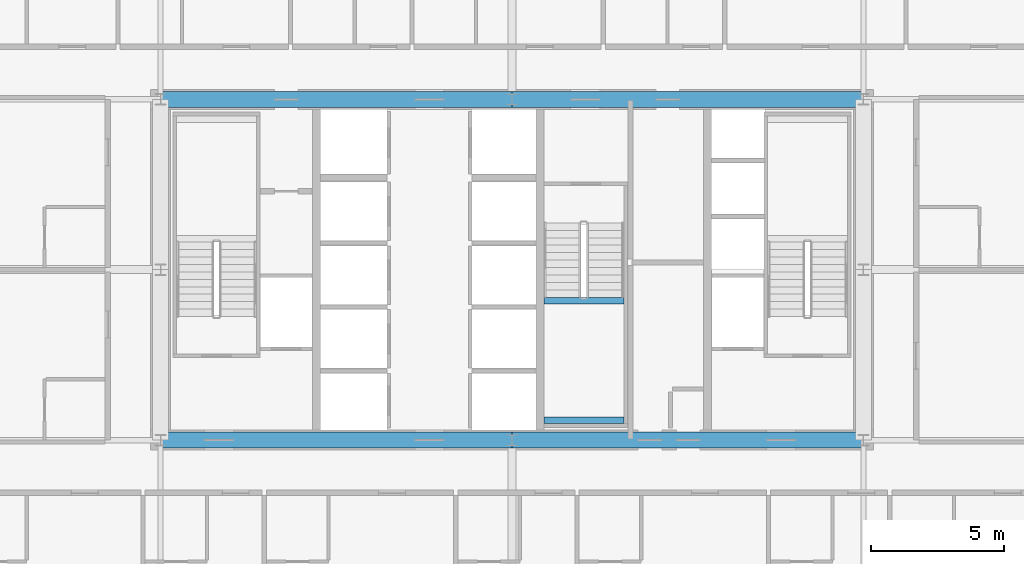
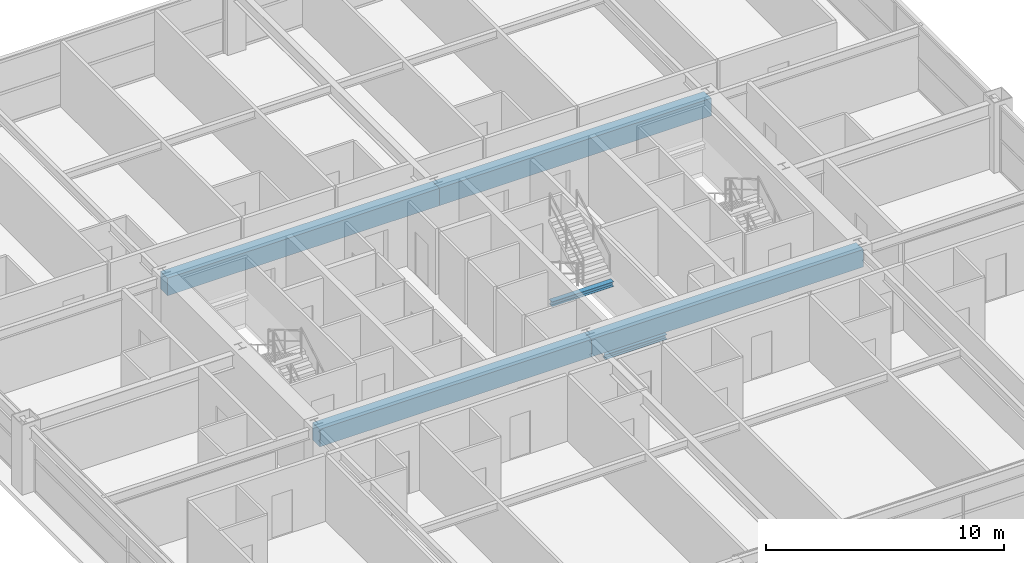
# One storey, part 13 of 43: 6 beams.
"""IFC4 building model written with IfcOpenShell, lengths in metres."""

from ifc_helpers import new_model, si_unit, direction, frame, origin, origin_2d, place, context, subcontext, project, spatial, rectangle, i_section, extrude, source, transform, mapped, material, material_profile, profile_set, type_object, element, save


model = new_model("IFC4")

# Units and contexts
model_context = context("Model", 3, precision=1e-05, world=origin(), true_north=direction((0.0, 1.0)))
body_context = subcontext(model_context, "Body", "Model", "MODEL_VIEW")
ifc_project = project(units=[si_unit("LENGTHUNIT", "METRE"), si_unit("AREAUNIT", "SQUARE_METRE"), si_unit("VOLUMEUNIT", "CUBIC_METRE"), si_unit("PLANEANGLEUNIT", "RADIAN"), si_unit("MASSUNIT", "GRAM", prefix="KILO"), si_unit("THERMODYNAMICTEMPERATUREUNIT", "KELVIN"), si_unit("POWERUNIT", "WATT")], contexts=[model_context])

# Site, building, storey
site_placement = place(None, origin())
site = spatial("IfcSite", under=ifc_project, at=site_placement, CompositionType="ELEMENT")
building_placement = place(site_placement, origin())
building = spatial("IfcBuilding", under=site, at=building_placement, Name="Yuzanri Waterfront Tower", CompositionType="ELEMENT")
storey_placement = place(building_placement, frame((0.0, 0.0, 93.800048828125)))
storey = spatial("IfcBuildingStorey", under=building, at=storey_placement, Name="L24", CompositionType="ELEMENT", Elevation=93.800048828125)

# Beams
ifc_material_1 = material(Name="Concrete C60", Category="concrete")
ifc_material_profile_1 = material_profile(ifc_material_1, rectangle(XDim=0.60009765625, YDim=0.89990234375, at=origin_2d()), Name="RC 600x900")
ifc_profile_set_1 = profile_set([ifc_material_profile_1], Name="Concrete C60")
beam_type_1 = type_object("IfcBeamType", Name="Core Coupling Lintel Concrete C60 600x900", PredefinedType="LINTEL", material=ifc_profile_set_1)
shared_shape_1 = source(origin(), body_context, "Body", "SweptSolid", [
    extrude(rectangle(XDim=0.60009765625, YDim=0.89990234375, at=origin_2d()), origin(), (0.0, 0.0, 1.0), 13.199951171875),
])
for number, where, z_axis, x_axis, name in (
    (1, (23.800048828125, 19.39990234375, 2.929931640625), (1.0, 0.0, 0.0), (0.0, 1.0, 0.0), "L24 Core Tie Beam CS1"),
    (2, (37.0, 19.39990234375, 2.929931640625), (1.0, 0.0, 0.0), (0.0, 1.0, 0.0), "L24 Core Tie Beam CS2"),
    (3, (23.800048828125, 32.199951171875, 2.929931640625), (1.0, 0.0, 0.0), (0.0, 1.0, 0.0), "L24 Core Tie Beam CN1"),
    (4, (37.0, 32.199951171875, 2.929931640625), (1.0, 0.0, 0.0), (0.0, 1.0, 0.0), "L24 Core Tie Beam CN2"),
):
    element("IfcBeam", number, at=place(storey_placement, frame(where, z_axis=z_axis, x_axis=x_axis)), inside=storey, type_object=beam_type_1, Name=name, PredefinedType="LINTEL", context=body_context, shape_type="MappedRepresentation", body=[
        mapped(shared_shape_1, transform((0.0, 0.0, 0.0), scale=1.0)),
    ])
ifc_material_2 = material(Name="Steel Q355B", Category="steel")
ifc_material_profile_2 = material_profile(ifc_material_2, i_section(OverallWidth=0.25, OverallDepth=0.25, WebThickness=0.009033203125, FlangeThickness=0.013916015625, at=origin_2d()), Name="HW 250x250x9x14")
ifc_profile_set_2 = profile_set([ifc_material_profile_2], Name="Steel Q355B")
beam_type_2 = type_object("IfcBeamType", Name="Stair Landing Support Beam Q355B HW 250x250", PredefinedType="BEAM", material=ifc_profile_set_2)
shared_shape_2 = source(origin(), body_context, "Body", "SweptSolid", [
    extrude(i_section(OverallWidth=0.25, OverallDepth=0.25, WebThickness=0.009033203125, FlangeThickness=0.013916015625, at=origin_2d()), origin(), (0.0, 0.0, 1.0), 3.0),
])
for number, where, z_axis, x_axis, name in (
    (5, (38.199951171875, 20.14990234375, 1.474853515625), (1.0, 0.0, 0.0), (0.0, 1.0, 0.0), "L24 Stair Landing Support Beam ST-03-L24-L1-1"),
    (6, (38.199951171875, 24.6298828125, 1.474853515625), (1.0, 0.0, 0.0), (0.0, 1.0, 0.0), "L24 Stair Landing Support Beam ST-03-L24-L1-2"),
):
    element("IfcBeam", number, at=place(storey_placement, frame(where, z_axis=z_axis, x_axis=x_axis)), inside=storey, type_object=beam_type_2, Name=name, PredefinedType="BEAM", context=body_context, shape_type="MappedRepresentation", body=[
        mapped(shared_shape_2, transform((0.0, 0.0, 0.0), scale=1.0)),
    ])

save(model, "model.ifc")
